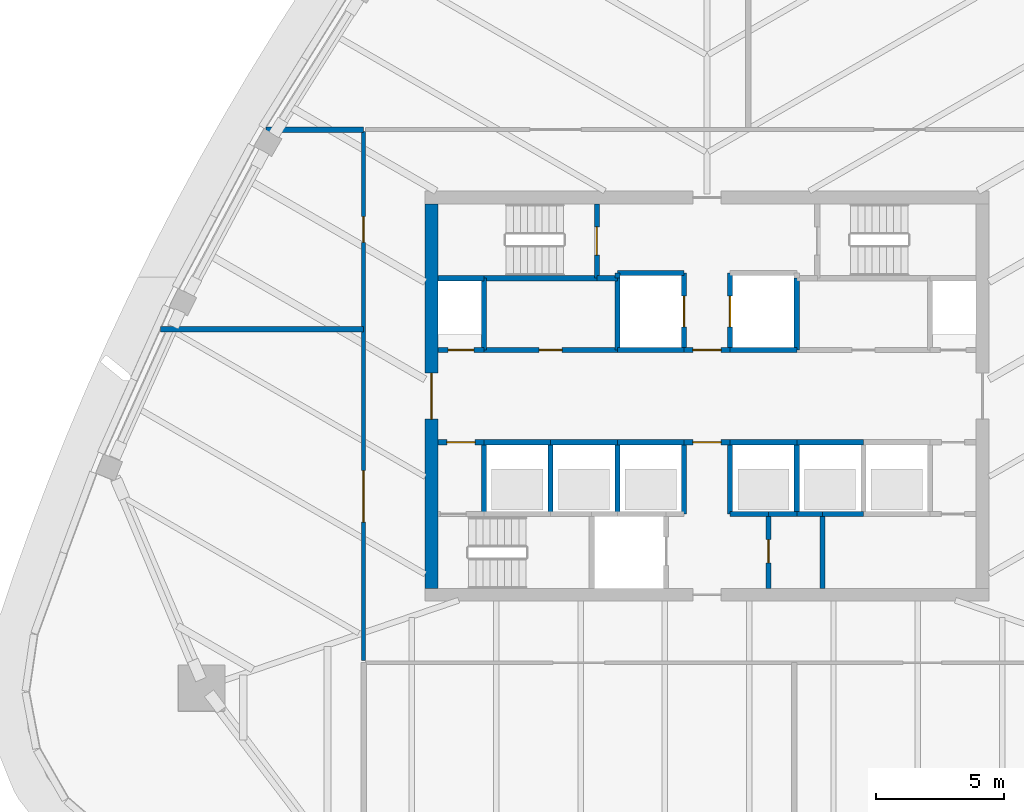
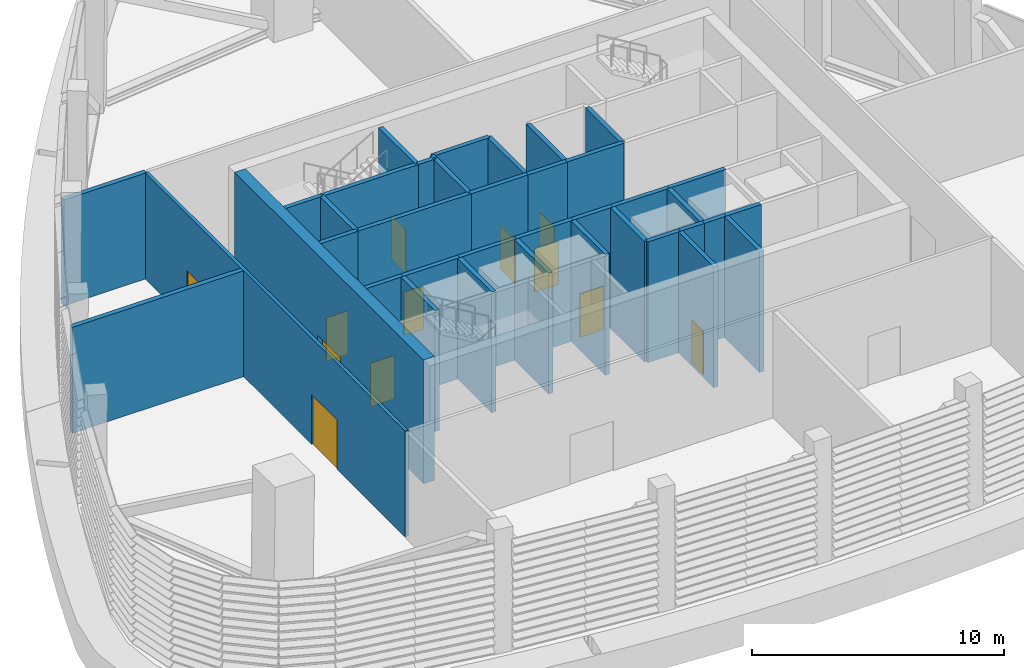
# One storey, part 4 of 15: 39 walls, 12 doors, 12 openings.
"""IFC4 building model written with IfcOpenShell, lengths in metres."""

import ifcopenshell
import ifcopenshell.guid

model = None  # the IFC model being written
_history = None  # IfcOwnerHistory: only IFC2X3 demands one
_inside = {}  # id of a spatial element -> (the spatial element, [elements in it])
_under = {}  # id of a project, library or spatial element -> (it, [spatial elements below it])
_declared = {}  # id of a project -> (the project, [libraries it declares])
_typed = {}  # id of a type object -> (the type object, [elements of that type])
_made_of = {}  # id of a material, layer set ... -> (it, [elements and type objects made of it])


def new_model(schema):
    """Start an empty IFC model of exactly this schema.

    Asked for "IFC4X3", IfcOpenShell would pick the latest addendum, in which some entities
    have other attributes; the version numbers below select the first issue.
    IFC2X3 requires an IfcOwnerHistory on every rooted entity: one is made here for all.
    """
    global model, _history
    if schema == "IFC4X3":
        model = ifcopenshell.file(schema_version=(4, 3, 0, 0))
    else:
        model = ifcopenshell.file(schema=schema)
    _inside.clear()
    _under.clear()
    _declared.clear()
    _typed.clear()
    _made_of.clear()
    _history = None
    if model.schema == "IFC2X3":
        org = make("IfcOrganization", Name="unknown")
        user = make(
            "IfcPersonAndOrganization",
            ThePerson=make("IfcPerson", FamilyName="unknown"),
            TheOrganization=org,
        )
        app = make(
            "IfcApplication",
            ApplicationDeveloper=org,
            Version="unknown",
            ApplicationFullName="unknown",
            ApplicationIdentifier="unknown",
        )
        _history = make(
            "IfcOwnerHistory",
            OwningUser=user,
            OwningApplication=app,
            ChangeAction="ADDED",
            CreationDate=0,
        )
    return model


def make(cls, **values):
    """One entity of the class cls with the attributes given. An attribute that is None is left unset."""
    return model.create_entity(
        cls, **{name: value for name, value in values.items() if value is not None}
    )


def rooted(cls, **values):
    """An entity with a GlobalId (a new one), such as an element, a storey or a relation."""
    return make(cls, GlobalId=ifcopenshell.guid.new(), OwnerHistory=_history, **values)


def si_unit(unit_type, name, prefix=None):
    """IfcSIUnit, for example si_unit("LENGTHUNIT", "METRE", prefix="MILLI")."""
    return make("IfcSIUnit", UnitType=unit_type, Prefix=prefix, Name=name)


def assignment(units):
    """IfcUnitAssignment: the units of a project."""
    return None if units is None else make("IfcUnitAssignment", Units=units)


def point(xyz):
    """IfcCartesianPoint."""
    return None if xyz is None else make("IfcCartesianPoint", Coordinates=xyz)


def direction(xyz):
    """IfcDirection."""
    return None if xyz is None else make("IfcDirection", DirectionRatios=xyz)


def frame(location, z_axis=None, x_axis=None):
    """IfcAxis2Placement3D, a coordinate frame: its origin and axes. An axis left out is left unset."""
    return make(
        "IfcAxis2Placement3D",
        Location=point(location),
        Axis=direction(z_axis),
        RefDirection=direction(x_axis),
    )


def frame_2d(location, x_axis=None):
    """IfcAxis2Placement2D, a coordinate frame in the plane: its origin and x axis."""
    return make(
        "IfcAxis2Placement2D", Location=point(location), RefDirection=direction(x_axis)
    )


def origin():
    """The frame at (0, 0, 0) with its axes left unset."""
    return frame((0.0, 0.0, 0.0))


def place(relative_to, where):
    """IfcLocalPlacement: puts the frame where relative to a parent placement (None: the world)."""
    return make(
        "IfcLocalPlacement", PlacementRelTo=relative_to, RelativePlacement=where
    )


def context(
    kind, dimensions, precision=None, world=None, true_north=None, identifier=None
):
    """IfcGeometricRepresentationContext, for example the 3D "Model" context."""
    return make(
        "IfcGeometricRepresentationContext",
        ContextIdentifier=identifier,
        ContextType=kind,
        CoordinateSpaceDimension=dimensions,
        Precision=precision,
        WorldCoordinateSystem=world,
        TrueNorth=true_north,
    )


def subcontext(parent, identifier, kind, view, scale=None):
    """IfcGeometricRepresentationSubContext, for example "Body" below "Model"."""
    return make(
        "IfcGeometricRepresentationSubContext",
        ContextIdentifier=identifier,
        ContextType=kind,
        ParentContext=parent,
        TargetScale=scale,
        TargetView=view,
    )


def project(units=None, contexts=None):
    """IfcProject with its units and contexts."""
    return rooted(
        "IfcProject",
        Name="project",
        RepresentationContexts=contexts,
        UnitsInContext=assignment(units),
    )


def spatial(cls, under=None, at=None, **own):
    """A site, building, storey or space (cls), placed at a placement, below another one or the project."""
    s = rooted(cls, ObjectPlacement=at, **own)
    if under is not None:
        _under.setdefault(under.id(), (under, []))[1].append(s)
    return s


def profile(cls, at=None, kind="AREA", **sizes):
    """A parametric profile (cls). Its sizes go by their IFC names, for example OverallWidth=200.0."""
    return make(cls, ProfileType=kind, Position=at, **sizes)


def rectangle(**sizes):
    """IfcRectangleProfileDef."""
    return profile("IfcRectangleProfileDef", **sizes)


def extrude(swept, where, along, depth):
    """IfcExtrudedAreaSolid: the profile swept, set in the frame where, extruded along a direction by depth."""
    return make(
        "IfcExtrudedAreaSolid",
        SweptArea=swept,
        Position=where,
        ExtrudedDirection=direction(along),
        Depth=depth,
    )


def shape(context_of_items, identifier, shape_type, items):
    """IfcShapeRepresentation: the items that make up one representation, for example the "Body"."""
    return make(
        "IfcShapeRepresentation",
        ContextOfItems=context_of_items,
        RepresentationIdentifier=identifier,
        RepresentationType=shape_type,
        Items=items,
    )


def material(Name=None, Category=None):
    """IfcMaterial."""
    return make("IfcMaterial", Name=Name, Category=Category)


def layer(
    of_material, thickness, ventilated=None, Name=None, Category=None, Priority=None
):
    """IfcMaterialLayer: one layer of a wall or slab, of a material (None: an air gap)."""
    return make(
        "IfcMaterialLayer",
        Material=of_material,
        LayerThickness=thickness,
        IsVentilated=ventilated,
        Name=Name,
        Category=Category,
        Priority=Priority,
    )


def layer_set(layers, Name=None):
    """IfcMaterialLayerSet."""
    return make("IfcMaterialLayerSet", MaterialLayers=layers, LayerSetName=Name)


def made_of(thing, what):
    """Note that an element or type object is made of a material, layer set ...; save() writes the relation."""
    if what is not None:
        _made_of.setdefault(what.id(), (what, []))[1].append(thing)
    return thing


def type_object(cls, material=None, **own):
    """A type object (cls), such as IfcWallType, which elements share."""
    return made_of(rooted(cls, **own), material)


def element(
    cls,
    number,
    at=None,
    inside=None,
    cuts=None,
    type_object=None,
    material=None,
    context=None,
    identifier="Body",
    shape_type=None,
    held_by="IfcProductDefinitionShape",
    body=None,
    shapes=None,
    **own,
):
    """One element of the class cls, such as IfcWall. Its Tag is "e" and its number.

    at: its placement. inside: the storey or other place that contains it. cuts: it is an
    opening in that element (IfcRelVoidsElement). A single representation is given by context,
    identifier, shape_type and body (its items); several are given by shapes. held_by: the class
    of the entity that holds the representations. save() writes the other relations.
    """
    e = rooted(cls, Tag="e%d" % number, ObjectPlacement=at, **own)
    if body is not None:
        shapes = [shape(context, identifier, shape_type, body)]
    if shapes is not None:
        e.Representation = make(held_by, Representations=shapes)
    if inside is not None:
        _inside.setdefault(inside.id(), (inside, []))[1].append(e)
    if cuts is not None:
        rooted(
            "IfcRelVoidsElement", RelatingBuildingElement=cuts, RelatedOpeningElement=e
        )
    if type_object is not None:
        _typed.setdefault(type_object.id(), (type_object, []))[1].append(e)
    return made_of(e, material)


def fill(opening, filler):
    """IfcRelFillsElement: the door or window that sits in an opening."""
    return rooted(
        "IfcRelFillsElement",
        RelatingOpeningElement=opening,
        RelatedBuildingElement=filler,
    )


def aggregate(whole, parts):
    """IfcRelAggregates: a whole, such as a stair, and the parts it consists of."""
    return rooted("IfcRelAggregates", RelatingObject=whole, RelatedObjects=parts)


def save(model, path):
    """Write the relations noted so far, then the file.

    IfcRelAggregates (storeys below a building ...), IfcRelContainedInSpatialStructure (elements
    in a storey), IfcRelDefinesByType, IfcRelAssociatesMaterial and IfcRelDeclares: one each for
    every whole, place, type object, material and project.
    """
    for whole, parts in _under.values():
        aggregate(whole, parts)
    for where, things in _inside.values():
        rooted(
            "IfcRelContainedInSpatialStructure",
            RelatedElements=things,
            RelatingStructure=where,
        )
    for kind, things in _typed.values():
        rooted("IfcRelDefinesByType", RelatedObjects=things, RelatingType=kind)
    for what, things in _made_of.values():
        rooted("IfcRelAssociatesMaterial", RelatedObjects=things, RelatingMaterial=what)
    for by, libraries in _declared.values():
        rooted("IfcRelDeclares", RelatingContext=by, RelatedDefinitions=libraries)
    model.write(path)


model = new_model("IFC4")

# Units and contexts
model_context = context("Model", 3, precision=1e-05, world=origin(), true_north=direction((0.0, 1.0)))
body_context = subcontext(model_context, "Body", "Model", "MODEL_VIEW")
ifc_project = project(units=[si_unit("LENGTHUNIT", "METRE"), si_unit("AREAUNIT", "SQUARE_METRE"), si_unit("VOLUMEUNIT", "CUBIC_METRE"), si_unit("PLANEANGLEUNIT", "RADIAN"), si_unit("MASSUNIT", "GRAM", prefix="KILO")], contexts=[model_context])

# Site, building, storey
site_placement = place(None, origin())
site = spatial("IfcSite", under=ifc_project, at=site_placement, CompositionType="ELEMENT")
building_placement = place(site_placement, origin())
building = spatial("IfcBuilding", under=site, at=building_placement, Name="Sierra Prisma Convention Tower", CompositionType="ELEMENT")
storey_placement = place(building_placement, frame((0.0, 0.0, 324.39990234375)))
storey = spatial("IfcBuildingStorey", under=building, at=storey_placement, Name="L74", CompositionType="ELEMENT", Elevation=324.39990234375)

# Wall, opening, door
ifc_material_1 = material(Name="Concrete C30/37", Category="concrete")
ifc_layer_1 = layer(ifc_material_1, 0.199951171875)
ifc_layer_set_1 = layer_set([ifc_layer_1], Name="Core wall RC 200 C30/37")
wall_type_1 = type_object("IfcWallType", Name="Core wall RC 200 C30/37", PredefinedType="SOLIDWALL", material=ifc_layer_set_1)
wall_1_placement = place(storey_placement, frame((-10.5, -1.800048828125, 0.0), z_axis=(0.0, 0.0, 1.0), x_axis=(1.0, 0.0, 0.0)))
wall_1 = element("IfcWall", 1, at=wall_1_placement, inside=storey, type_object=wall_type_1, Name="Core wall L74 2", PredefinedType="SOLIDWALL", context=body_context, shape_type="SweptSolid", body=[
    extrude(rectangle(XDim=1.800048828125, YDim=0.199951171875, at=frame_2d((0.89990234375, 0.0))), origin(), (0.0, 0.0, 1.0), 5.85009765625),
])
opening_1_placement = place(wall_1_placement, frame((0.35009765625, 0.0, 0.0)))
opening_1 = element("IfcOpeningElement", 2, at=opening_1_placement, cuts=wall_1, Name="Opening L74-D004", PredefinedType="OPENING", context=body_context, shape_type="SweptSolid", body=[
    extrude(rectangle(XDim=1.10009765625, YDim=2.10009765625, at=frame_2d((0.550048828125, 1.050048828125))), frame((0.0, 0.10009765625, 0.0), z_axis=(0.0, -1.0, 0.0), x_axis=(1.0, 0.0, 0.0)), (0.0, 0.0, 1.0), 0.199951171875),
])
ifc_material_2 = material(Name="Steel fire door leaf", Category="steel")
door_type_1 = type_object("IfcDoorType", Name="Door 1100x2100 FD90S", OperationType="SINGLE_SWING_LEFT", PredefinedType="DOOR", material=ifc_material_2)
door_1_placement = place(opening_1_placement, origin())
door_1 = element("IfcDoor", 3, at=door_1_placement, inside=storey, type_object=door_type_1, Name="Door L74 12", OperationType="SINGLE_SWING_RIGHT", OverallHeight=2.10009765625, OverallWidth=1.10009765625, PredefinedType="DOOR", context=body_context, shape_type="SweptSolid", body=[
    extrude(rectangle(XDim=1.10009765625, YDim=2.10009765625, at=frame_2d((0.550048828125, 1.050048828125))), frame((0.0, 0.02490234375, 0.0), z_axis=(0.0, -1.0, 0.0), x_axis=(1.0, 0.0, 0.0)), (0.0, 0.0, 1.0), 0.050048828125),
])
fill(opening_1, door_1)

wall_2_placement = place(storey_placement, frame((-8.699951171875, 1.800048828125, 0.0), z_axis=(0.0, 0.0, 1.0), x_axis=(-1.0, 0.0, 0.0)))
wall_2 = element("IfcWall", 4, at=wall_2_placement, inside=storey, type_object=wall_type_1, Name="Core wall L74 3", PredefinedType="SOLIDWALL", context=body_context, shape_type="SweptSolid", body=[
    extrude(rectangle(XDim=1.800048828125, YDim=0.199951171875, at=frame_2d((0.89990234375, 0.0))), origin(), (0.0, 0.0, 1.0), 5.85009765625),
])
opening_2_placement = place(wall_2_placement, frame((0.39990234375, 0.0, 0.0)))
opening_2 = element("IfcOpeningElement", 5, at=opening_2_placement, cuts=wall_2, Name="Opening L74-D007", PredefinedType="OPENING", context=body_context, shape_type="SweptSolid", body=[
    extrude(rectangle(XDim=1.0, YDim=2.10009765625, at=frame_2d((0.5, 1.050048828125))), frame((0.0, 0.10009765625, 0.0), z_axis=(0.0, -1.0, 0.0), x_axis=(1.0, 0.0, 0.0)), (0.0, 0.0, 1.0), 0.199951171875),
])
ifc_material_3 = material(Name="Steel fire door leaf", Category="steel")
door_type_2 = type_object("IfcDoorType", Name="Door 1000x2100 FD60S", OperationType="SINGLE_SWING_LEFT", PredefinedType="DOOR", material=ifc_material_3)
door_2_placement = place(opening_2_placement, origin())
door_2 = element("IfcDoor", 6, at=door_2_placement, inside=storey, type_object=door_type_2, Name="Door L74 15", OperationType="SINGLE_SWING_LEFT", OverallHeight=2.10009765625, OverallWidth=1.0, PredefinedType="DOOR", context=body_context, shape_type="SweptSolid", body=[
    extrude(rectangle(XDim=1.0, YDim=2.10009765625, at=frame_2d((0.5, 1.050048828125))), frame((0.0, 0.02490234375, 0.0), z_axis=(0.0, -1.0, 0.0), x_axis=(1.0, 0.0, 0.0)), (0.0, 0.0, 1.0), 0.050048828125),
])
fill(opening_2, door_2)

# Walls
wall_3_placement = place(storey_placement, frame((-8.699951171875, 4.60009765625, 0.0), z_axis=(0.0, 0.0, 1.0), x_axis=(-1.0, 0.0, 0.0)))
element("IfcWall", 7, at=wall_3_placement, inside=storey, type_object=wall_type_1, Name="Core wall L74 4", PredefinedType="SOLIDWALL", context=body_context, shape_type="SweptSolid", body=[
    extrude(rectangle(XDim=1.800048828125, YDim=0.199951171875, at=frame_2d((0.89990234375, 0.0))), origin(), (0.0, 0.0, 1.0), 5.85009765625),
])
wall_4_placement = place(storey_placement, frame((-8.699951171875, -4.60009765625, 0.0), z_axis=(0.0, 0.0, 1.0), x_axis=(0.0, 1.0, 0.0)))
element("IfcWall", 8, at=wall_4_placement, inside=storey, type_object=wall_type_1, Name="Core wall L74 6", PredefinedType="SOLIDWALL", context=body_context, shape_type="SweptSolid", body=[
    extrude(rectangle(XDim=2.800048828125, YDim=0.199951171875, at=frame_2d((1.39990234375, 0.0))), origin(), (0.0, 0.0, 1.0), 5.85009765625),
])
wall_5_placement = place(storey_placement, frame((-8.699951171875, -1.800048828125, 0.0), z_axis=(0.0, 0.0, 1.0), x_axis=(1.0, 0.0, 0.0)))
element("IfcWall", 9, at=wall_5_placement, inside=storey, type_object=wall_type_1, Name="Core wall L74 7", PredefinedType="SOLIDWALL", context=body_context, shape_type="SweptSolid", body=[
    extrude(rectangle(XDim=2.599853515625, YDim=0.199951171875, at=frame_2d((1.2998046875, 0.0))), origin(), (0.0, 0.0, 1.0), 5.85009765625),
])

# Wall, opening, door
wall_6_placement = place(storey_placement, frame((-8.699951171875, 1.800048828125, 0.0), z_axis=(0.0, 0.0, 1.0), x_axis=(1.0, 0.0, 0.0)))
wall_6 = element("IfcWall", 10, at=wall_6_placement, inside=storey, type_object=wall_type_1, Name="Core wall L74 8", PredefinedType="SOLIDWALL", context=body_context, shape_type="SweptSolid", body=[
    extrude(rectangle(XDim=5.199951171875, YDim=0.199951171875, at=frame_2d((2.60009765625, 0.0))), origin(), (0.0, 0.0, 1.0), 5.85009765625),
])
opening_3_placement = place(wall_6_placement, frame((2.14990234375, 0.0, 0.0)))
opening_3 = element("IfcOpeningElement", 11, at=opening_3_placement, cuts=wall_6, Name="Opening L74-D013", PredefinedType="OPENING", context=body_context, shape_type="SweptSolid", body=[
    extrude(rectangle(XDim=0.89990234375, YDim=2.10009765625, at=frame_2d((0.449951171875, 1.050048828125))), frame((0.0, 0.10009765625, 0.0), z_axis=(0.0, -1.0, 0.0), x_axis=(1.0, 0.0, 0.0)), (0.0, 0.0, 1.0), 0.199951171875),
])
ifc_material_4 = material(Name="Steel fire door leaf", Category="steel")
door_type_3 = type_object("IfcDoorType", Name="Door 900x2100 FD30S", OperationType="SINGLE_SWING_LEFT", PredefinedType="DOOR", material=ifc_material_4)
door_3_placement = place(opening_3_placement, origin())
door_3 = element("IfcDoor", 12, at=door_3_placement, inside=storey, type_object=door_type_3, Name="Door L74 21", OperationType="SINGLE_SWING_LEFT", OverallHeight=2.10009765625, OverallWidth=0.89990234375, PredefinedType="DOOR", context=body_context, shape_type="SweptSolid", body=[
    extrude(rectangle(XDim=0.89990234375, YDim=2.10009765625, at=frame_2d((0.449951171875, 1.050048828125))), frame((0.0, 0.02490234375, 0.0), z_axis=(0.0, -1.0, 0.0), x_axis=(1.0, 0.0, 0.0)), (0.0, 0.0, 1.0), 0.050048828125),
])
fill(opening_3, door_3)

# Walls
wall_7_placement = place(storey_placement, frame((-8.699951171875, 4.60009765625, 0.0), z_axis=(0.0, 0.0, 1.0), x_axis=(0.0, -1.0, 0.0)))
element("IfcWall", 13, at=wall_7_placement, inside=storey, type_object=wall_type_1, Name="Core wall L74 9", PredefinedType="SOLIDWALL", context=body_context, shape_type="SweptSolid", body=[
    extrude(rectangle(XDim=2.800048828125, YDim=0.199951171875, at=frame_2d((1.39990234375, 0.0))), origin(), (0.0, 0.0, 1.0), 5.85009765625),
])
wall_8_placement = place(storey_placement, frame((-4.300048828125, 4.60009765625, 0.0), z_axis=(0.0, 0.0, 1.0), x_axis=(-1.0, 0.0, 0.0)))
element("IfcWall", 14, at=wall_8_placement, inside=storey, type_object=wall_type_1, Name="Core wall L74 10", PredefinedType="SOLIDWALL", context=body_context, shape_type="SweptSolid", body=[
    extrude(rectangle(XDim=4.39990234375, YDim=0.199951171875, at=frame_2d((2.199951171875, 0.0))), origin(), (0.0, 0.0, 1.0), 5.85009765625),
])
wall_9_placement = place(storey_placement, frame((-6.10009765625, -4.60009765625, 0.0), z_axis=(0.0, 0.0, 1.0), x_axis=(0.0, 1.0, 0.0)))
element("IfcWall", 15, at=wall_9_placement, inside=storey, type_object=wall_type_1, Name="Core wall L74 12", PredefinedType="SOLIDWALL", context=body_context, shape_type="SweptSolid", body=[
    extrude(rectangle(XDim=2.800048828125, YDim=0.199951171875, at=frame_2d((1.39990234375, 0.0))), origin(), (0.0, 0.0, 1.0), 5.85009765625),
])
wall_10_placement = place(storey_placement, frame((-6.10009765625, -1.800048828125, 0.0), z_axis=(0.0, 0.0, 1.0), x_axis=(1.0, 0.0, 0.0)))
element("IfcWall", 16, at=wall_10_placement, inside=storey, type_object=wall_type_1, Name="Core wall L74 13", PredefinedType="SOLIDWALL", context=body_context, shape_type="SweptSolid", body=[
    extrude(rectangle(XDim=2.60009765625, YDim=0.199951171875, at=frame_2d((1.300048828125, 0.0))), origin(), (0.0, 0.0, 1.0), 5.85009765625),
])
wall_11_placement = place(storey_placement, frame((-3.5, 4.60009765625, 0.0), z_axis=(0.0, 0.0, 1.0), x_axis=(-1.0, 0.0, 0.0)))
element("IfcWall", 17, at=wall_11_placement, inside=storey, type_object=wall_type_1, Name="Core wall L74 16", PredefinedType="SOLIDWALL", context=body_context, shape_type="SweptSolid", body=[
    extrude(rectangle(XDim=0.800048828125, YDim=0.199951171875, at=frame_2d((0.39990234375, 0.0))), origin(), (0.0, 0.0, 1.0), 5.85009765625),
])

# Wall, opening, door
wall_12_placement = place(storey_placement, frame((-4.300048828125, 4.60009765625, 0.0), z_axis=(0.0, 0.0, 1.0), x_axis=(0.0, 1.0, 0.0)))
wall_12 = element("IfcWall", 18, at=wall_12_placement, inside=storey, type_object=wall_type_1, Name="Core wall L74 17", PredefinedType="SOLIDWALL", context=body_context, shape_type="SweptSolid", body=[
    extrude(rectangle(XDim=2.89990234375, YDim=0.199951171875, at=frame_2d((1.449951171875, 0.0))), origin(), (0.0, 0.0, 1.0), 5.85009765625),
])
opening_4_placement = place(wall_12_placement, frame((0.89990234375, 0.0, 0.0)))
opening_4 = element("IfcOpeningElement", 19, at=opening_4_placement, cuts=wall_12, Name="Opening L74-D010", PredefinedType="OPENING", context=body_context, shape_type="SweptSolid", body=[
    extrude(rectangle(XDim=1.10009765625, YDim=2.10009765625, at=frame_2d((0.550048828125, 1.050048828125))), frame((0.0, 0.10009765625, 0.0), z_axis=(0.0, -1.0, 0.0), x_axis=(1.0, 0.0, 0.0)), (0.0, 0.0, 1.0), 0.199951171875),
])
door_4_placement = place(opening_4_placement, origin())
door_4 = element("IfcDoor", 20, at=door_4_placement, inside=storey, type_object=door_type_1, Name="Door L74 18", OperationType="SINGLE_SWING_RIGHT", OverallHeight=2.10009765625, OverallWidth=1.10009765625, PredefinedType="DOOR", context=body_context, shape_type="SweptSolid", body=[
    extrude(rectangle(XDim=1.10009765625, YDim=2.10009765625, at=frame_2d((0.550048828125, 1.050048828125))), frame((0.0, 0.02490234375, 0.0), z_axis=(0.0, -1.0, 0.0), x_axis=(1.0, 0.0, 0.0)), (0.0, 0.0, 1.0), 0.050048828125),
])
fill(opening_4, door_4)

# Walls
wall_13_placement = place(storey_placement, frame((-3.5, -4.60009765625, 0.0), z_axis=(0.0, 0.0, 1.0), x_axis=(0.0, 1.0, 0.0)))
element("IfcWall", 21, at=wall_13_placement, inside=storey, type_object=wall_type_1, Name="Core wall L74 19", PredefinedType="SOLIDWALL", context=body_context, shape_type="SweptSolid", body=[
    extrude(rectangle(XDim=2.800048828125, YDim=0.199951171875, at=frame_2d((1.39990234375, 0.0))), origin(), (0.0, 0.0, 1.0), 5.85009765625),
])
for number, where, z_axis, x_axis, name in (
    (22, (-3.5, -1.800048828125, 0.0), (0.0, 0.0, 1.0), (1.0, 0.0, 0.0), "Core wall L74 20"),
    (23, (-0.89990234375, 1.800048828125, 0.0), (0.0, 0.0, 1.0), (-1.0, 0.0, 0.0), "Core wall L74 21"),
):
    element("IfcWall", number, at=place(storey_placement, frame(where, z_axis=z_axis, x_axis=x_axis)), inside=storey, type_object=wall_type_1, Name=name, PredefinedType="SOLIDWALL", context=body_context, shape_type="SweptSolid", body=[
        extrude(rectangle(XDim=2.60009765625, YDim=0.199951171875, at=frame_2d((1.300048828125, 0.0))), origin(), (0.0, 0.0, 1.0), 5.85009765625),
    ])
wall_14_placement = place(storey_placement, frame((-3.5, 1.800048828125, 0.0), z_axis=(0.0, 0.0, 1.0), x_axis=(0.0, 1.0, 0.0)))
element("IfcWall", 24, at=wall_14_placement, inside=storey, type_object=wall_type_1, Name="Core wall L74 22", PredefinedType="SOLIDWALL", context=body_context, shape_type="SweptSolid", body=[
    extrude(rectangle(XDim=2.800048828125, YDim=0.199951171875, at=frame_2d((1.39990234375, 0.0))), origin(), (0.0, 0.0, 1.0), 5.85009765625),
])

# Wall, opening, door
wall_15_placement = place(storey_placement, frame((-0.89990234375, 1.800048828125, 0.0), z_axis=(0.0, 0.0, 1.0), x_axis=(0.0, 1.0, 0.0)))
wall_15 = element("IfcWall", 25, at=wall_15_placement, inside=storey, type_object=wall_type_1, Name="Core wall L74 23", PredefinedType="SOLIDWALL", context=body_context, shape_type="SweptSolid", body=[
    extrude(rectangle(XDim=3.0, YDim=0.199951171875, at=frame_2d((1.5, 0.0))), origin(), (0.0, 0.0, 1.0), 5.85009765625),
])
opening_5_placement = place(wall_15_placement, frame((0.89990234375, 0.0, 0.0)))
opening_5 = element("IfcOpeningElement", 26, at=opening_5_placement, cuts=wall_15, Name="Opening L74-D001", PredefinedType="OPENING", context=body_context, shape_type="SweptSolid", body=[
    extrude(rectangle(XDim=1.199951171875, YDim=2.10009765625, at=frame_2d((0.60009765625, 1.050048828125))), frame((0.0, 0.10009765625, 0.0), z_axis=(0.0, -1.0, 0.0), x_axis=(1.0, 0.0, 0.0)), (0.0, 0.0, 1.0), 0.199951171875),
])
ifc_material_5 = material(Name="Steel fire door leaf", Category="steel")
door_type_4 = type_object("IfcDoorType", Name="Door 1200x2100 EI 90 sliding lift landing", OperationType="SLIDING_TO_LEFT", PredefinedType="DOOR", material=ifc_material_5)
door_5_placement = place(opening_5_placement, origin())
door_5 = element("IfcDoor", 27, at=door_5_placement, inside=storey, type_object=door_type_4, Name="Door L74 9", OperationType="SLIDING_TO_RIGHT", OverallHeight=2.10009765625, OverallWidth=1.199951171875, PredefinedType="DOOR", context=body_context, shape_type="SweptSolid", body=[
    extrude(rectangle(XDim=1.199951171875, YDim=2.10009765625, at=frame_2d((0.60009765625, 1.050048828125))), frame((0.0, 0.02490234375, 0.0), z_axis=(0.0, -1.0, 0.0), x_axis=(1.0, 0.0, 0.0)), (0.0, 0.0, 1.0), 0.050048828125),
])
fill(opening_5, door_5)

# Walls
wall_16_placement = place(storey_placement, frame((-0.89990234375, 4.800048828125, 0.0), z_axis=(0.0, 0.0, 1.0), x_axis=(-1.0, 0.0, 0.0)))
element("IfcWall", 28, at=wall_16_placement, inside=storey, type_object=wall_type_1, Name="Core wall L74 24", PredefinedType="SOLIDWALL", context=body_context, shape_type="SweptSolid", body=[
    extrude(rectangle(XDim=2.60009765625, YDim=0.199951171875, at=frame_2d((1.300048828125, 0.0))), origin(), (0.0, 0.0, 1.0), 5.85009765625),
])
wall_17_placement = place(storey_placement, frame((-3.5, 4.800048828125, 0.0), z_axis=(0.0, 0.0, 1.0), x_axis=(0.0, -1.0, 0.0)))
element("IfcWall", 29, at=wall_17_placement, inside=storey, type_object=wall_type_1, Name="Core wall L74 25", PredefinedType="SOLIDWALL", context=body_context, shape_type="SweptSolid", body=[
    extrude(rectangle(XDim=0.199951171875, YDim=0.199951171875, at=frame_2d((0.10009765625, 0.0))), origin(), (0.0, 0.0, 1.0), 5.85009765625),
])
wall_18_placement = place(storey_placement, frame((-0.89990234375, -4.60009765625, 0.0), z_axis=(0.0, 0.0, 1.0), x_axis=(0.0, 1.0, 0.0)))
element("IfcWall", 30, at=wall_18_placement, inside=storey, type_object=wall_type_1, Name="Core wall L74 28", PredefinedType="SOLIDWALL", context=body_context, shape_type="SweptSolid", body=[
    extrude(rectangle(XDim=2.800048828125, YDim=0.199951171875, at=frame_2d((1.39990234375, 0.0))), origin(), (0.0, 0.0, 1.0), 5.85009765625),
])

# Wall, opening, door
wall_19_placement = place(storey_placement, frame((-0.89990234375, -1.800048828125, 0.0), z_axis=(0.0, 0.0, 1.0), x_axis=(1.0, 0.0, 0.0)))
wall_19 = element("IfcWall", 31, at=wall_19_placement, inside=storey, type_object=wall_type_1, Name="Core wall L74 29", PredefinedType="SOLIDWALL", context=body_context, shape_type="SweptSolid", body=[
    extrude(rectangle(XDim=1.7998046875, YDim=0.199951171875, at=frame_2d((0.89990234375, 0.0))), origin(), (0.0, 0.0, 1.0), 5.85009765625),
])
opening_6_placement = place(wall_19_placement, frame((0.35009765625, 0.0, 0.0)))
opening_6 = element("IfcOpeningElement", 32, at=opening_6_placement, cuts=wall_19, Name="Opening L74-D006", PredefinedType="OPENING", context=body_context, shape_type="SweptSolid", body=[
    extrude(rectangle(XDim=1.10009765625, YDim=2.10009765625, at=frame_2d((0.550048828125, 1.050048828125))), frame((0.0, 0.10009765625, 0.0), z_axis=(0.0, -1.0, 0.0), x_axis=(1.0, 0.0, 0.0)), (0.0, 0.0, 1.0), 0.199951171875),
])
ifc_material_6 = material(Name="Steel fire door leaf", Category="steel")
door_type_5 = type_object("IfcDoorType", Name="Door 1100x2100 FD30S", OperationType="SINGLE_SWING_LEFT", PredefinedType="DOOR", material=ifc_material_6)
door_6_placement = place(opening_6_placement, origin())
door_6 = element("IfcDoor", 33, at=door_6_placement, inside=storey, type_object=door_type_5, Name="Door L74 14", OperationType="SINGLE_SWING_LEFT", OverallHeight=2.10009765625, OverallWidth=1.10009765625, PredefinedType="DOOR", context=body_context, shape_type="SweptSolid", body=[
    extrude(rectangle(XDim=1.10009765625, YDim=2.10009765625, at=frame_2d((0.550048828125, 1.050048828125))), frame((0.0, 0.02490234375, 0.0), z_axis=(0.0, -1.0, 0.0), x_axis=(1.0, 0.0, 0.0)), (0.0, 0.0, 1.0), 0.050048828125),
])
fill(opening_6, door_6)

wall_20_placement = place(storey_placement, frame((0.89990234375, 1.800048828125, 0.0), z_axis=(0.0, 0.0, 1.0), x_axis=(-1.0, 0.0, 0.0)))
wall_20 = element("IfcWall", 34, at=wall_20_placement, inside=storey, type_object=wall_type_1, Name="Core wall L74 30", PredefinedType="SOLIDWALL", context=body_context, shape_type="SweptSolid", body=[
    extrude(rectangle(XDim=1.7998046875, YDim=0.199951171875, at=frame_2d((0.89990234375, 0.0))), origin(), (0.0, 0.0, 1.0), 5.85009765625),
])
opening_7_placement = place(wall_20_placement, frame((0.35009765625, 0.0, 0.0)))
opening_7 = element("IfcOpeningElement", 35, at=opening_7_placement, cuts=wall_20, Name="Opening L74-D005", PredefinedType="OPENING", context=body_context, shape_type="SweptSolid", body=[
    extrude(rectangle(XDim=1.10009765625, YDim=2.10009765625, at=frame_2d((0.550048828125, 1.050048828125))), frame((0.0, 0.10009765625, 0.0), z_axis=(0.0, -1.0, 0.0), x_axis=(1.0, 0.0, 0.0)), (0.0, 0.0, 1.0), 0.199951171875),
])
ifc_material_7 = material(Name="Steel fire door leaf", Category="steel")
door_type_6 = type_object("IfcDoorType", Name="Door 1100x2100 FD60S", OperationType="SINGLE_SWING_LEFT", PredefinedType="DOOR", material=ifc_material_7)
door_7_placement = place(opening_7_placement, origin())
door_7 = element("IfcDoor", 36, at=door_7_placement, inside=storey, type_object=door_type_6, Name="Door L74 13", OperationType="SINGLE_SWING_LEFT", OverallHeight=2.10009765625, OverallWidth=1.10009765625, PredefinedType="DOOR", context=body_context, shape_type="SweptSolid", body=[
    extrude(rectangle(XDim=1.10009765625, YDim=2.10009765625, at=frame_2d((0.550048828125, 1.050048828125))), frame((0.0, 0.02490234375, 0.0), z_axis=(0.0, -1.0, 0.0), x_axis=(1.0, 0.0, 0.0)), (0.0, 0.0, 1.0), 0.050048828125),
])
fill(opening_7, door_7)

# Walls
wall_21_placement = place(storey_placement, frame((0.89990234375, -1.800048828125, 0.0), z_axis=(0.0, 0.0, 1.0), x_axis=(1.0, 0.0, 0.0)))
element("IfcWall", 37, at=wall_21_placement, inside=storey, type_object=wall_type_1, Name="Core wall L74 31", PredefinedType="SOLIDWALL", context=body_context, shape_type="SweptSolid", body=[
    extrude(rectangle(XDim=2.60009765625, YDim=0.199951171875, at=frame_2d((1.300048828125, 0.0))), origin(), (0.0, 0.0, 1.0), 5.85009765625),
])
wall_22_placement = place(storey_placement, frame((0.89990234375, -1.800048828125, 0.0), z_axis=(0.0, 0.0, 1.0), x_axis=(0.0, -1.0, 0.0)))
element("IfcWall", 38, at=wall_22_placement, inside=storey, type_object=wall_type_1, Name="Core wall L74 32", PredefinedType="SOLIDWALL", context=body_context, shape_type="SweptSolid", body=[
    extrude(rectangle(XDim=2.800048828125, YDim=0.199951171875, at=frame_2d((1.39990234375, 0.0))), origin(), (0.0, 0.0, 1.0), 5.85009765625),
])
wall_23_placement = place(storey_placement, frame((0.89990234375, -4.60009765625, 0.0), z_axis=(0.0, 0.0, 1.0), x_axis=(1.0, 0.0, 0.0)))
element("IfcWall", 39, at=wall_23_placement, inside=storey, type_object=wall_type_1, Name="Core wall L74 33", PredefinedType="SOLIDWALL", context=body_context, shape_type="SweptSolid", body=[
    extrude(rectangle(XDim=1.5, YDim=0.199951171875, at=frame_2d((0.75, 0.0))), origin(), (0.0, 0.0, 1.0), 5.85009765625),
])
wall_24_placement = place(storey_placement, frame((3.5, 1.800048828125, 0.0), z_axis=(0.0, 0.0, 1.0), x_axis=(-1.0, 0.0, 0.0)))
element("IfcWall", 40, at=wall_24_placement, inside=storey, type_object=wall_type_1, Name="Core wall L74 34", PredefinedType="SOLIDWALL", context=body_context, shape_type="SweptSolid", body=[
    extrude(rectangle(XDim=2.60009765625, YDim=0.199951171875, at=frame_2d((1.300048828125, 0.0))), origin(), (0.0, 0.0, 1.0), 5.85009765625),
])

# Wall, opening, door
wall_25_placement = place(storey_placement, frame((0.89990234375, 4.800048828125, 0.0), z_axis=(0.0, 0.0, 1.0), x_axis=(0.0, -1.0, 0.0)))
wall_25 = element("IfcWall", 41, at=wall_25_placement, inside=storey, type_object=wall_type_1, Name="Core wall L74 37", PredefinedType="SOLIDWALL", context=body_context, shape_type="SweptSolid", body=[
    extrude(rectangle(XDim=3.0, YDim=0.199951171875, at=frame_2d((1.5, 0.0))), origin(), (0.0, 0.0, 1.0), 5.85009765625),
])
opening_8_placement = place(wall_25_placement, frame((0.89990234375, 0.0, 0.0)))
opening_8 = element("IfcOpeningElement", 42, at=opening_8_placement, cuts=wall_25, Name="Opening L74-D002", PredefinedType="OPENING", context=body_context, shape_type="SweptSolid", body=[
    extrude(rectangle(XDim=1.199951171875, YDim=2.10009765625, at=frame_2d((0.60009765625, 1.050048828125))), frame((0.0, 0.10009765625, 0.0), z_axis=(0.0, -1.0, 0.0), x_axis=(1.0, 0.0, 0.0)), (0.0, 0.0, 1.0), 0.199951171875),
])
door_8_placement = place(opening_8_placement, origin())
door_8 = element("IfcDoor", 43, at=door_8_placement, inside=storey, type_object=door_type_4, Name="Door L74 10", OperationType="SLIDING_TO_LEFT", OverallHeight=2.10009765625, OverallWidth=1.199951171875, PredefinedType="DOOR", context=body_context, shape_type="SweptSolid", body=[
    extrude(rectangle(XDim=1.199951171875, YDim=2.10009765625, at=frame_2d((0.60009765625, 1.050048828125))), frame((0.0, 0.02490234375, 0.0), z_axis=(0.0, -1.0, 0.0), x_axis=(1.0, 0.0, 0.0)), (0.0, 0.0, 1.0), 0.050048828125),
])
fill(opening_8, door_8)

wall_26_placement = place(storey_placement, frame((2.39990234375, -4.60009765625, 0.0), z_axis=(0.0, 0.0, 1.0), x_axis=(0.0, -1.0, 0.0)))
wall_26 = element("IfcWall", 44, at=wall_26_placement, inside=storey, type_object=wall_type_1, Name="Core wall L74 38", PredefinedType="SOLIDWALL", context=body_context, shape_type="SweptSolid", body=[
    extrude(rectangle(XDim=2.89990234375, YDim=0.199951171875, at=frame_2d((1.449951171875, 0.0))), origin(), (0.0, 0.0, 1.0), 5.85009765625),
])
opening_9_placement = place(wall_26_placement, frame((1.0, 0.0, 0.0)))
opening_9 = element("IfcOpeningElement", 45, at=opening_9_placement, cuts=wall_26, Name="Opening L74-D016", PredefinedType="OPENING", context=body_context, shape_type="SweptSolid", body=[
    extrude(rectangle(XDim=0.89990234375, YDim=2.10009765625, at=frame_2d((0.449951171875, 1.050048828125))), frame((0.0, 0.10009765625, 0.0), z_axis=(0.0, -1.0, 0.0), x_axis=(1.0, 0.0, 0.0)), (0.0, 0.0, 1.0), 0.199951171875),
])
door_9_placement = place(opening_9_placement, origin())
door_9 = element("IfcDoor", 46, at=door_9_placement, inside=storey, type_object=door_type_3, Name="Door L74 24", OperationType="SINGLE_SWING_LEFT", OverallHeight=2.10009765625, OverallWidth=0.89990234375, PredefinedType="DOOR", context=body_context, shape_type="SweptSolid", body=[
    extrude(rectangle(XDim=0.89990234375, YDim=2.10009765625, at=frame_2d((0.449951171875, 1.050048828125))), frame((0.0, 0.02490234375, 0.0), z_axis=(0.0, -1.0, 0.0), x_axis=(1.0, 0.0, 0.0)), (0.0, 0.0, 1.0), 0.050048828125),
])
fill(opening_9, door_9)

# Walls
wall_27_placement = place(storey_placement, frame((3.5, -4.60009765625, 0.0), z_axis=(0.0, 0.0, 1.0), x_axis=(-1.0, 0.0, 0.0)))
element("IfcWall", 47, at=wall_27_placement, inside=storey, type_object=wall_type_1, Name="Core wall L74 39", PredefinedType="SOLIDWALL", context=body_context, shape_type="SweptSolid", body=[
    extrude(rectangle(XDim=1.10009765625, YDim=0.199951171875, at=frame_2d((0.550048828125, 0.0))), origin(), (0.0, 0.0, 1.0), 5.85009765625),
])
wall_28_placement = place(storey_placement, frame((4.5, -4.60009765625, 0.0), z_axis=(0.0, 0.0, 1.0), x_axis=(-1.0, 0.0, 0.0)))
element("IfcWall", 48, at=wall_28_placement, inside=storey, type_object=wall_type_1, Name="Core wall L74 40", PredefinedType="SOLIDWALL", context=body_context, shape_type="SweptSolid", body=[
    extrude(rectangle(XDim=1.0, YDim=0.199951171875, at=frame_2d((0.5, 0.0))), origin(), (0.0, 0.0, 1.0), 5.85009765625),
])
wall_29_placement = place(storey_placement, frame((3.5, -4.60009765625, 0.0), z_axis=(0.0, 0.0, 1.0), x_axis=(0.0, 1.0, 0.0)))
element("IfcWall", 49, at=wall_29_placement, inside=storey, type_object=wall_type_1, Name="Core wall L74 41", PredefinedType="SOLIDWALL", context=body_context, shape_type="SweptSolid", body=[
    extrude(rectangle(XDim=2.800048828125, YDim=0.199951171875, at=frame_2d((1.39990234375, 0.0))), origin(), (0.0, 0.0, 1.0), 5.85009765625),
])
wall_30_placement = place(storey_placement, frame((3.5, -1.800048828125, 0.0), z_axis=(0.0, 0.0, 1.0), x_axis=(1.0, 0.0, 0.0)))
element("IfcWall", 50, at=wall_30_placement, inside=storey, type_object=wall_type_1, Name="Core wall L74 42", PredefinedType="SOLIDWALL", context=body_context, shape_type="SweptSolid", body=[
    extrude(rectangle(XDim=2.60009765625, YDim=0.199951171875, at=frame_2d((1.300048828125, 0.0))), origin(), (0.0, 0.0, 1.0), 5.85009765625),
])
wall_31_placement = place(storey_placement, frame((3.5, 4.60009765625, 0.0), z_axis=(0.0, 0.0, 1.0), x_axis=(0.0, -1.0, 0.0)))
element("IfcWall", 51, at=wall_31_placement, inside=storey, type_object=wall_type_1, Name="Core wall L74 44", PredefinedType="SOLIDWALL", context=body_context, shape_type="SweptSolid", body=[
    extrude(rectangle(XDim=2.800048828125, YDim=0.199951171875, at=frame_2d((1.39990234375, 0.0))), origin(), (0.0, 0.0, 1.0), 5.85009765625),
])
wall_32_placement = place(storey_placement, frame((4.5, -4.60009765625, 0.0), z_axis=(0.0, 0.0, 1.0), x_axis=(0.0, -1.0, 0.0)))
element("IfcWall", 52, at=wall_32_placement, inside=storey, type_object=wall_type_1, Name="Core wall L74 48", PredefinedType="SOLIDWALL", context=body_context, shape_type="SweptSolid", body=[
    extrude(rectangle(XDim=2.89990234375, YDim=0.199951171875, at=frame_2d((1.449951171875, 0.0))), origin(), (0.0, 0.0, 1.0), 5.85009765625),
])
wall_33_placement = place(storey_placement, frame((6.10009765625, -4.60009765625, 0.0), z_axis=(0.0, 0.0, 1.0), x_axis=(-1.0, 0.0, 0.0)))
element("IfcWall", 53, at=wall_33_placement, inside=storey, type_object=wall_type_1, Name="Core wall L74 49", PredefinedType="SOLIDWALL", context=body_context, shape_type="SweptSolid", body=[
    extrude(rectangle(XDim=1.60009765625, YDim=0.199951171875, at=frame_2d((0.800048828125, 0.0))), origin(), (0.0, 0.0, 1.0), 5.85009765625),
])

# Wall, opening, door
ifc_material_8 = material(Name="Concrete C50/60", Category="concrete")
ifc_layer_2 = layer(ifc_material_8, 0.5)
ifc_layer_set_2 = layer_set([ifc_layer_2], Name="Core wall RC 500 C50/60")
wall_type_2 = type_object("IfcWallType", Name="Core wall RC 500 C50/60", PredefinedType="SHEAR", material=ifc_layer_set_2)
wall_34_placement = place(storey_placement, frame((-10.75, -7.5, 0.0), z_axis=(0.0, 0.0, 1.0), x_axis=(0.0, 1.0, 0.0)))
wall_34 = element("IfcWall", 54, at=wall_34_placement, inside=storey, type_object=wall_type_2, Name="Core wall W L74", PredefinedType="SHEAR", context=body_context, shape_type="SweptSolid", body=[
    extrude(rectangle(XDim=15.0, YDim=0.5, at=frame_2d((7.5, 0.0))), origin(), (0.0, 0.0, 1.0), 6.0),
])
opening_10_placement = place(wall_34_placement, frame((6.60009765625, 0.0, 0.0)))
opening_10 = element("IfcOpeningElement", 55, at=opening_10_placement, cuts=wall_34, Name="Opening L74-D028", PredefinedType="OPENING", context=body_context, shape_type="SweptSolid", body=[
    extrude(rectangle(XDim=1.800048828125, YDim=2.10009765625, at=frame_2d((0.89990234375, 1.050048828125))), frame((0.0, 0.25, 0.0), z_axis=(0.0, -1.0, 0.0), x_axis=(1.0, 0.0, 0.0)), (0.0, 0.0, 1.0), 0.5),
])
ifc_material_9 = material(Name="Steel fire door leaf", Category="steel")
door_type_7 = type_object("IfcDoorType", Name="Door 1800x2100 FD60S", OperationType="DOUBLE_DOOR_SINGLE_SWING", PredefinedType="DOOR", material=ifc_material_9)
door_10_placement = place(opening_10_placement, origin())
door_10 = element("IfcDoor", 56, at=door_10_placement, inside=storey, type_object=door_type_7, Name="Door L74 25", OperationType="DOUBLE_DOOR_SINGLE_SWING", OverallHeight=2.10009765625, OverallWidth=1.800048828125, PredefinedType="DOOR", context=body_context, shape_type="SweptSolid", body=[
    extrude(rectangle(XDim=1.800048828125, YDim=2.10009765625, at=frame_2d((0.89990234375, 1.050048828125))), frame((0.0, 0.02490234375, 0.0), z_axis=(0.0, -1.0, 0.0), x_axis=(1.0, 0.0, 0.0)), (0.0, 0.0, 1.0), 0.050048828125),
])
fill(opening_10, door_10)

# Wall, openings, doors
ifc_material_10 = material(Name="Gypsum board partition", Category="gypsum")
ifc_layer_3 = layer(ifc_material_10, 0.14990234375)
ifc_layer_set_3 = layer_set([ifc_layer_3], Name="Corridor wall 150 gypsum EI 60")
wall_type_3 = type_object("IfcWallType", Name="Corridor wall 150 gypsum EI 60", PredefinedType="PARTITIONING", material=ifc_layer_set_3)
wall_35_placement = place(storey_placement, frame((-13.39990234375, 10.320068359375, 0.0), z_axis=(0.0, 0.0, 1.0), x_axis=(0.0, -1.0, 0.0)))
wall_35 = element("IfcWall", 57, at=wall_35_placement, inside=storey, type_object=wall_type_3, Name="Partition L74 corr 1", PredefinedType="PARTITIONING", context=body_context, shape_type="SweptSolid", body=[
    extrude(rectangle(XDim=20.64013671875, YDim=0.14990234375, at=frame_2d((10.320068359375, 0.0))), origin(), (0.0, 0.0, 1.0), 5.13818359375),
])
opening_11_placement = place(wall_35_placement, frame((3.320068359375, 0.0, 0.0)))
opening_11 = element("IfcOpeningElement", 58, at=opening_11_placement, cuts=wall_35, Name="Opening L74-D020", PredefinedType="OPENING", context=body_context, shape_type="SweptSolid", body=[
    extrude(rectangle(XDim=1.0, YDim=2.39990234375, at=frame_2d((0.5, 1.199951171875))), frame((0.0, 0.074951171875, 0.0), z_axis=(0.0, -1.0, 0.0), x_axis=(1.0, 0.0, 0.0)), (0.0, 0.0, 1.0), 0.14990234375),
])
opening_12_placement = place(wall_35_placement, frame((13.22998046875, 0.0, 0.0)))
opening_12 = element("IfcOpeningElement", 59, at=opening_12_placement, cuts=wall_35, Name="Opening L74-D021", PredefinedType="OPENING", context=body_context, shape_type="SweptSolid", body=[
    extrude(rectangle(XDim=2.0, YDim=2.39990234375, at=frame_2d((1.0, 1.199951171875))), frame((0.0, 0.074951171875, 0.0), z_axis=(0.0, -1.0, 0.0), x_axis=(1.0, 0.0, 0.0)), (0.0, 0.0, 1.0), 0.14990234375),
])
ifc_material_11 = material(Name="Steel fire door leaf", Category="steel")
door_type_8 = type_object("IfcDoorType", Name="Door 1000x2400 FD60S", OperationType="SINGLE_SWING_LEFT", PredefinedType="DOOR", material=ifc_material_11)
door_11_placement = place(opening_11_placement, origin())
door_11 = element("IfcDoor", 60, at=door_11_placement, inside=storey, type_object=door_type_8, Name="Door L74 4", OperationType="SINGLE_SWING_LEFT", OverallHeight=2.39990234375, OverallWidth=1.0, PredefinedType="DOOR", context=body_context, shape_type="SweptSolid", body=[
    extrude(rectangle(XDim=1.0, YDim=2.39990234375, at=frame_2d((0.5, 1.199951171875))), frame((0.0, 0.02490234375, 0.0), z_axis=(0.0, -1.0, 0.0), x_axis=(1.0, 0.0, 0.0)), (0.0, 0.0, 1.0), 0.050048828125),
])
fill(opening_11, door_11)
ifc_material_12 = material(Name="Steel fire door leaf", Category="steel")
door_type_9 = type_object("IfcDoorType", Name="Door 2000x2400 FD60S", OperationType="DOUBLE_DOOR_SINGLE_SWING", PredefinedType="DOOR", material=ifc_material_12)
door_12_placement = place(opening_12_placement, origin())
door_12 = element("IfcDoor", 61, at=door_12_placement, inside=storey, type_object=door_type_9, Name="Door L74 5", OperationType="DOUBLE_DOOR_SINGLE_SWING", OverallHeight=2.39990234375, OverallWidth=2.0, PredefinedType="DOOR", context=body_context, shape_type="SweptSolid", body=[
    extrude(rectangle(XDim=2.0, YDim=2.39990234375, at=frame_2d((1.0, 1.199951171875))), frame((0.0, 0.02490234375, 0.0), z_axis=(0.0, -1.0, 0.0), x_axis=(1.0, 0.0, 0.0)), (0.0, 0.0, 1.0), 0.050048828125),
])
fill(opening_12, door_12)

# Walls
ifc_material_13 = material(Name="Hollow clay block masonry", Category="masonry")
ifc_layer_4 = layer(ifc_material_13, 0.215087890625)
ifc_layer_set_4 = layer_set([ifc_layer_4], Name="Plant room wall 215 blockwork EI 120")
wall_type_4 = type_object("IfcWallType", Name="Plant room wall 215 blockwork EI 120", PredefinedType="PARTITIONING", material=ifc_layer_set_4)
wall_36_placement = place(storey_placement, frame((-13.39990234375, 2.60009765625, 0.0), z_axis=(0.0, 0.0, 1.0), x_axis=(-1.0, 0.0, 0.0)))
element("IfcWall", 62, at=wall_36_placement, inside=storey, type_object=wall_type_4, Name="Partition L74 plant 1", PredefinedType="PARTITIONING", context=body_context, shape_type="SweptSolid", body=[
    extrude(rectangle(XDim=7.91796875, YDim=0.215087890625, at=frame_2d((3.958984375, 0.0))), origin(), (0.0, 0.0, 1.0), 5.133056640625),
])
wall_37_placement = place(storey_placement, frame((-13.39990234375, 10.39990234375, 0.0), z_axis=(0.0, 0.0, 1.0), x_axis=(-1.0, 0.0, 0.0)))
element("IfcWall", 63, at=wall_37_placement, inside=storey, type_object=wall_type_4, Name="Partition L74 plant 2", PredefinedType="PARTITIONING", context=body_context, shape_type="SweptSolid", body=[
    extrude(rectangle(XDim=3.81396484375, YDim=0.215087890625, at=frame_2d((1.906982421875, 0.0))), origin(), (0.0, 0.0, 1.0), 5.133056640625),
])

save(model, "model.ifc")
